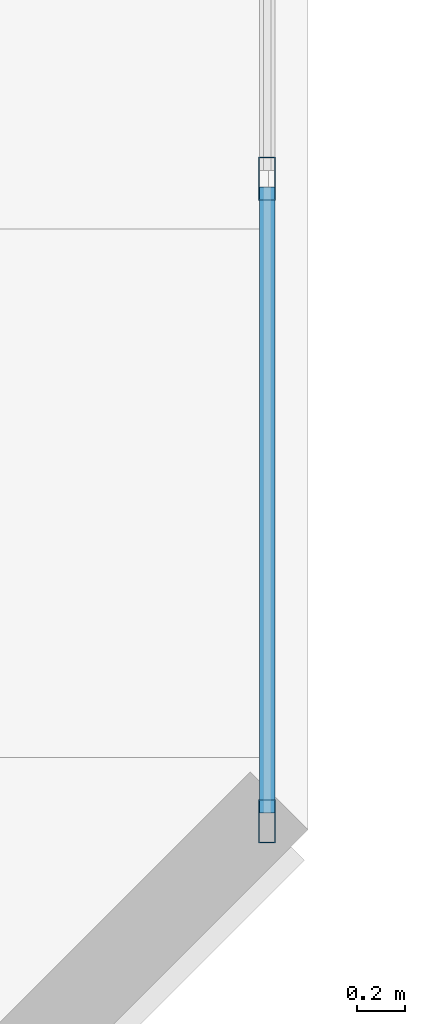
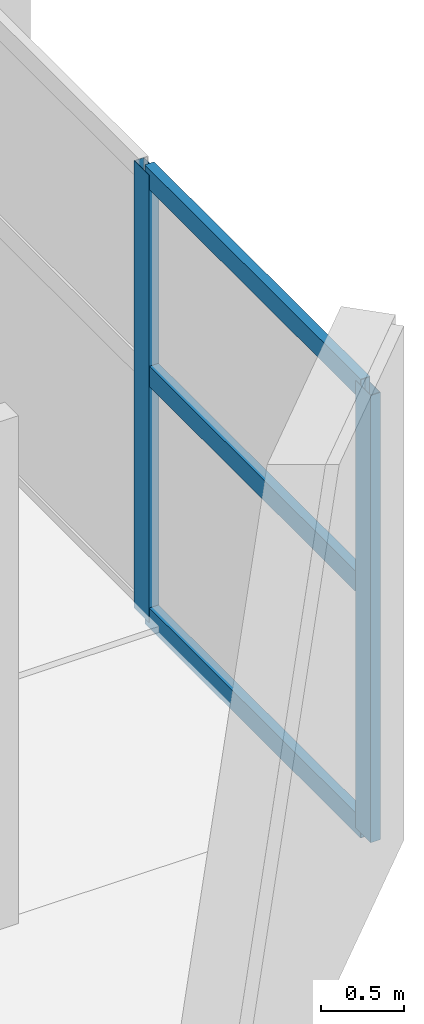
# One storey, part 2 of 13: 5 members, 1 element without a shape of its own.
"""IFC4 building model written with IfcOpenShell, lengths in metres."""

from ifc_helpers import new_model, si_unit, direction, frame, origin, origin_2d, place, context, subcontext, project, spatial, hollow_rectangle, extrude, material, layer, layer_set, material_profile, profile_set, type_object, element, aggregate, save


model = new_model("IFC4")

# Units and contexts
model_context = context("Model", 3, precision=1e-05, world=origin(), true_north=direction((0.0, 1.0)))
body_context = subcontext(model_context, "Body", "Model", "MODEL_VIEW")
ifc_project = project(units=[si_unit("LENGTHUNIT", "METRE"), si_unit("AREAUNIT", "SQUARE_METRE"), si_unit("VOLUMEUNIT", "CUBIC_METRE"), si_unit("PLANEANGLEUNIT", "RADIAN"), si_unit("MASSUNIT", "GRAM", prefix="KILO")], contexts=[model_context])

# Site, building, storey
site_placement = place(None, origin())
site = spatial("IfcSite", under=ifc_project, at=site_placement, CompositionType="ELEMENT")
building_placement = place(site_placement, origin())
building = spatial("IfcBuilding", under=site, at=building_placement, Name="Qianrong Seaharbour Tower", CompositionType="ELEMENT")
storey_placement = place(building_placement, frame((0.0, 0.0, 291.199951171875)))
storey = spatial("IfcBuildingStorey", under=building, at=storey_placement, Name="L70", CompositionType="ELEMENT", Elevation=291.199951171875)

# Curtain wall, members
ifc_material_1 = material(Name="Anodised aluminium 6063-T6 and laminated low-e glass", Category="aluminium")
ifc_layer = layer(ifc_material_1, 0.195068359375)
ifc_layer_set = layer_set([ifc_layer], Name="Anodised aluminium 6063-T6 and laminated low-e glass")
curtain_wall_type = type_object("IfcCurtainWallType", Name="CW-SYS-3", PredefinedType="NOTDEFINED", material=ifc_layer_set)
curtain_wall_placement = place(storey_placement, origin())
curtain_wall = element("IfcCurtainWall", 1, at=curtain_wall_placement, inside=storey, type_object=curtain_wall_type, Name="L70 Sky-Garden Wintergarden Curtain Wall EAST_WING", PredefinedType="NOTDEFINED")
ifc_material_2 = material(Name="Extruded aluminium 6063-T6", Category="aluminium")
ifc_material_profile_1 = material_profile(ifc_material_2, hollow_rectangle(XDim=0.070068359375, YDim=0.179931640625, WallThickness=0.00390625, at=origin_2d()), Name="ALU-MUL-180x70x4")
ifc_profile_set_1 = profile_set([ifc_material_profile_1], Name="Extruded aluminium 6063-T6")
member_type_1 = type_object("IfcMemberType", Name="CW-MUL-180", PredefinedType="MULLION", material=ifc_profile_set_1)
member_1_placement = place(storey_placement, frame((63.830078125, 25.2099609375, 0.0), z_axis=(0.0, 0.0, 1.0), x_axis=(1.0, 0.0, 0.0)))
member_1 = element("IfcMember", 2, at=member_1_placement, type_object=member_type_1, Name="CW-3 mullion 5", PredefinedType="MULLION", context=body_context, shape_type="SweptSolid", body=[
    extrude(hollow_rectangle(XDim=0.070068359375, YDim=0.179931640625, WallThickness=0.00390625, at=origin_2d()), origin(), (0.0, 0.0, 1.0), 3.295166015625),
])
member_2_placement = place(storey_placement, frame((63.830078125, 22.534912109375, 0.0), z_axis=(0.0, 0.0, 1.0), x_axis=(1.0, 0.0, 0.0)))
member_2 = element("IfcMember", 3, at=member_2_placement, type_object=member_type_1, Name="CW-3 mullion 6", PredefinedType="MULLION", context=body_context, shape_type="SweptSolid", body=[
    extrude(hollow_rectangle(XDim=0.070068359375, YDim=0.179931640625, WallThickness=0.00390625, at=origin_2d()), origin(), (0.0, 0.0, 1.0), 3.295166015625),
])
ifc_material_profile_2 = material_profile(ifc_material_2, hollow_rectangle(XDim=0.06494140625, YDim=0.14990234375, WallThickness=0.00390625, at=origin_2d()), Name="ALU-TRN-150x65x4")
ifc_profile_set_2 = profile_set([ifc_material_profile_2], Name="Extruded aluminium 6063-T6")
member_type_2 = type_object("IfcMemberType", Name="CW-TRN-150", PredefinedType="USERDEFINED", material=ifc_profile_set_2)
member_3_placement = place(storey_placement, frame((63.830078125, 25.175048828125, 0.032470703125), z_axis=(0.0, -1.0, 0.0), x_axis=(1.0, 0.0, 0.0)))
member_3 = element("IfcMember", 4, at=member_3_placement, type_object=member_type_2, Name="CW-3 transom 5.1", ObjectType="TRANSOM", PredefinedType="USERDEFINED", context=body_context, shape_type="SweptSolid", body=[
    extrude(hollow_rectangle(XDim=0.06494140625, YDim=0.14990234375, WallThickness=0.00390625, at=origin_2d()), origin(), (0.0, 0.0, 1.0), 2.60498046875),
])
member_4_placement = place(storey_placement, frame((63.830078125, 25.175048828125, 1.812255859375), z_axis=(0.0, -1.0, 0.0), x_axis=(1.0, 0.0, 0.0)))
member_4 = element("IfcMember", 5, at=member_4_placement, type_object=member_type_2, Name="CW-3 transom 5.2", ObjectType="TRANSOM", PredefinedType="USERDEFINED", context=body_context, shape_type="SweptSolid", body=[
    extrude(hollow_rectangle(XDim=0.06494140625, YDim=0.14990234375, WallThickness=0.00390625, at=origin_2d()), origin(), (0.0, 0.0, 1.0), 2.60498046875),
])
member_5_placement = place(storey_placement, frame((63.830078125, 25.175048828125, 3.262451171875), z_axis=(0.0, -1.0, 0.0), x_axis=(1.0, 0.0, 0.0)))
member_5 = element("IfcMember", 6, at=member_5_placement, type_object=member_type_2, Name="CW-3 transom 5.3", ObjectType="TRANSOM", PredefinedType="USERDEFINED", context=body_context, shape_type="SweptSolid", body=[
    extrude(hollow_rectangle(XDim=0.06494140625, YDim=0.14990234375, WallThickness=0.00390625, at=origin_2d()), origin(), (0.0, 0.0, 1.0), 2.60498046875),
])
aggregate(curtain_wall, [member_1, member_2, member_3, member_4, member_5])

save(model, "model.ifc")
